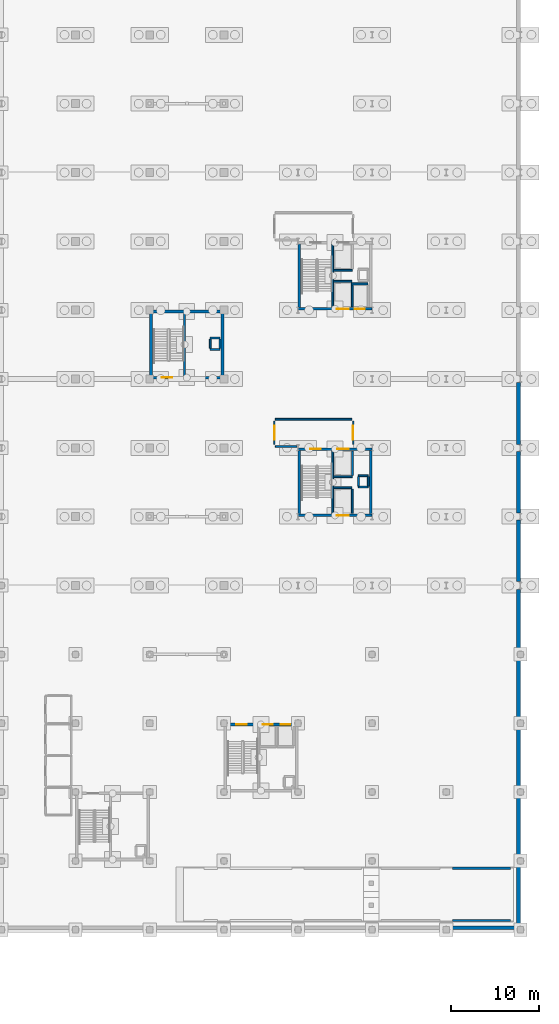
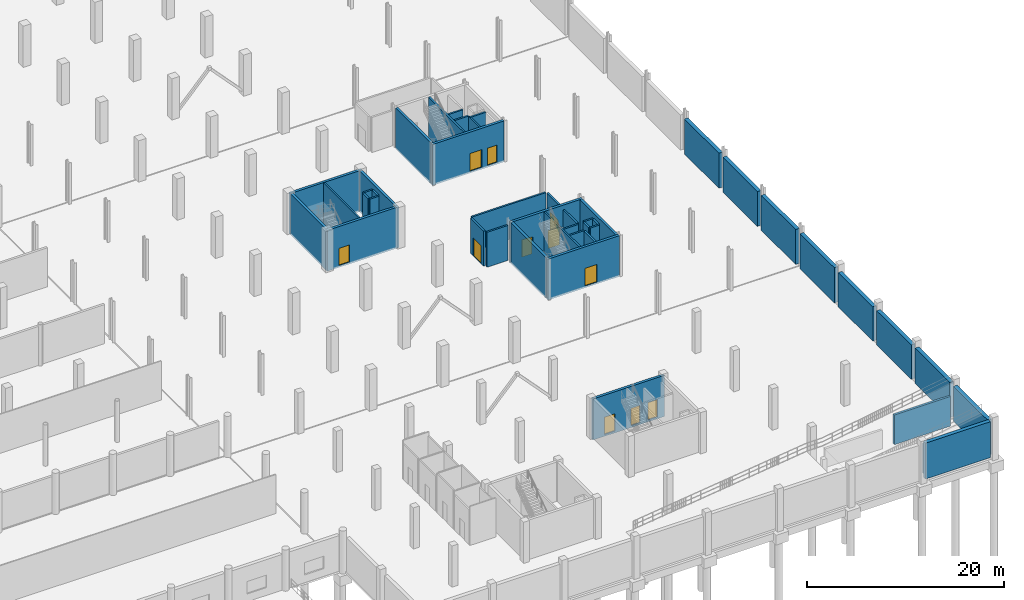
# One storey, part 33 of 48: 45 walls, 11 doors, 11 openings.
"""IFC4 building model written with IfcOpenShell, lengths in metres."""

from ifc_helpers import new_model, si_unit, direction, frame, frame_2d, origin, place, context, subcontext, project, spatial, rectangle, extrude, material, layer, layer_set, type_object, element, fill, save


model = new_model("IFC4")

# Units and contexts
model_context = context("Model", 3, precision=1e-05, world=origin(), true_north=direction((0.0, 1.0)))
body_context = subcontext(model_context, "Body", "Model", "MODEL_VIEW")
ifc_project = project(units=[si_unit("LENGTHUNIT", "METRE"), si_unit("AREAUNIT", "SQUARE_METRE"), si_unit("VOLUMEUNIT", "CUBIC_METRE"), si_unit("PLANEANGLEUNIT", "RADIAN"), si_unit("MASSUNIT", "GRAM", prefix="KILO")], contexts=[model_context])

# Site, building, storey
site_placement = place(None, origin())
site = spatial("IfcSite", under=ifc_project, at=site_placement, CompositionType="ELEMENT")
building_placement = place(site_placement, origin())
building = spatial("IfcBuilding", under=site, at=building_placement, Name="Nabrawat Pavilion Hospital", CompositionType="ELEMENT")
storey_placement = place(building_placement, frame((0.0, 0.0, -5.10009765625)))
storey = spatial("IfcBuildingStorey", under=building, at=storey_placement, Name="B1", CompositionType="ELEMENT", Elevation=-5.10009765625)

# Walls
ifc_material_1 = material(Name="Concrete C35/45", Category="concrete")
ifc_layer_1 = layer(ifc_material_1, 0.43994140625, Name="Concrete C35/45")
ifc_layer_set_1 = layer_set([ifc_layer_1], Name="Concrete C35/45")
wall_type_1 = type_object("IfcWallType", Name="Basement Deep RC Retaining Wall 440", PredefinedType="USERDEFINED", material=ifc_layer_set_1)
wall_1_placement = place(storey_placement, frame((185.18994140625, 0.219970703125, 0.0), z_axis=(0.0, 0.0, 1.0), x_axis=(1.0, 0.0, 0.0)))
element("IfcWall", 1, at=wall_1_placement, inside=storey, type_object=wall_type_1, Name="B1 Perimeter Retaining Wall 059", ObjectType="RETAININGWALL", PredefinedType="USERDEFINED", context=body_context, shape_type="SweptSolid", body=[
    extrude(rectangle(XDim=7.6201171875, YDim=0.43994140625, at=frame_2d((3.81005859375, 0.0))), origin(), (0.0, 0.0, 1.0), 4.4501953125),
])
wall_2_placement = place(storey_placement, frame((192.97998046875, 0.43994140625, 0.0), z_axis=(0.0, 0.0, 1.0), x_axis=(0.0, 1.0, 0.0)))
element("IfcWall", 2, at=wall_2_placement, inside=storey, type_object=wall_type_1, Name="B1 Perimeter Retaining Wall 069", ObjectType="RETAININGWALL", PredefinedType="USERDEFINED", context=body_context, shape_type="SweptSolid", body=[
    extrude(rectangle(XDim=6.969970703125, YDim=0.43994140625, at=frame_2d((3.48486328125, 0.0))), origin(), (0.0, 0.0, 1.0), 4.35009765625),
])
wall_3_placement = place(storey_placement, frame((192.97998046875, 8.18994140625, 0.0), z_axis=(0.0, 0.0, 1.0), x_axis=(0.0, 1.0, 0.0)))
element("IfcWall", 3, at=wall_3_placement, inside=storey, type_object=wall_type_1, Name="B1 Perimeter Retaining Wall 070", ObjectType="RETAININGWALL", PredefinedType="USERDEFINED", context=body_context, shape_type="SweptSolid", body=[
    extrude(rectangle(XDim=7.02001953125, YDim=0.43994140625, at=frame_2d((3.510009765625, 0.0))), origin(), (0.0, 0.0, 1.0), 4.35009765625),
])
for number, where, z_axis, x_axis, name in (
    (4, (192.97998046875, 15.989990234375, 0.0), (0.0, 0.0, 1.0), (0.0, 1.0, 0.0), "B1 Perimeter Retaining Wall 071"),
    (5, (192.97998046875, 23.7900390625, 0.0), (0.0, 0.0, 1.0), (0.0, 1.0, 0.0), "B1 Perimeter Retaining Wall 072"),
):
    element("IfcWall", number, at=place(storey_placement, frame(where, z_axis=z_axis, x_axis=x_axis)), inside=storey, type_object=wall_type_1, Name=name, ObjectType="RETAININGWALL", PredefinedType="USERDEFINED", context=body_context, shape_type="SweptSolid", body=[
        extrude(rectangle(XDim=7.02001953125, YDim=0.43994140625, at=frame_2d((3.510009765625, 0.0))), origin(), (0.0, 0.0, 1.0), 4.25),
    ])
wall_4_placement = place(storey_placement, frame((192.97998046875, 31.590087890625, 0.0), z_axis=(0.0, 0.0, 1.0), x_axis=(0.0, 1.0, 0.0)))
element("IfcWall", 6, at=wall_4_placement, inside=storey, type_object=wall_type_1, Name="B1 Perimeter Retaining Wall 073", ObjectType="RETAININGWALL", PredefinedType="USERDEFINED", context=body_context, shape_type="SweptSolid", body=[
    extrude(rectangle(XDim=6.969970703125, YDim=0.43994140625, at=frame_2d((3.48486328125, 0.0))), origin(), (0.0, 0.0, 1.0), 4.35009765625),
])
wall_5_placement = place(storey_placement, frame((192.97998046875, 39.43994140625, 0.0), z_axis=(0.0, 0.0, 1.0), x_axis=(0.0, 1.0, 0.0)))
element("IfcWall", 7, at=wall_5_placement, inside=storey, type_object=wall_type_1, Name="B1 Perimeter Retaining Wall 074", ObjectType="RETAININGWALL", PredefinedType="USERDEFINED", context=body_context, shape_type="SweptSolid", body=[
    extrude(rectangle(XDim=6.969970703125, YDim=0.43994140625, at=frame_2d((3.48486328125, 0.0))), origin(), (0.0, 0.0, 1.0), 4.330078125),
])
for number, where, z_axis, x_axis, name in (
    (8, (192.97998046875, 47.18994140625, 0.0), (0.0, 0.0, 1.0), (0.0, 1.0, 0.0), "B1 Perimeter Retaining Wall 075"),
    (9, (192.97998046875, 54.989990234375, 0.0), (0.0, 0.0, 1.0), (0.0, 1.0, 0.0), "B1 Perimeter Retaining Wall 076"),
):
    element("IfcWall", number, at=place(storey_placement, frame(where, z_axis=z_axis, x_axis=x_axis)), inside=storey, type_object=wall_type_1, Name=name, ObjectType="RETAININGWALL", PredefinedType="USERDEFINED", context=body_context, shape_type="SweptSolid", body=[
        extrude(rectangle(XDim=7.02001953125, YDim=0.43994140625, at=frame_2d((3.510009765625, 0.0))), origin(), (0.0, 0.0, 1.0), 4.330078125),
    ])
ifc_layer_2 = layer(ifc_material_1, 0.199951171875, Name="Concrete C35/45")
ifc_layer_set_2 = layer_set([ifc_layer_2], Name="Concrete C35/45")
wall_type_2 = type_object("IfcWallType", Name="Firefighting Lobby Compartment Wall 200", PredefinedType="PARTITIONING", material=ifc_layer_set_2)
wall_6_placement = place(storey_placement, frame((165.43994140625, 54.75, 0.0), z_axis=(0.0, 0.0, 1.0), x_axis=(1.0, 0.0, 0.0)))
element("IfcWall", 10, at=wall_6_placement, inside=storey, type_object=wall_type_2, Name="B1 CORE-5 Firefighting Lobby South Return Wall", PredefinedType="PARTITIONING", context=body_context, shape_type="SweptSolid", body=[
    extrude(rectangle(XDim=2.43994140625, YDim=0.199951171875, at=frame_2d((1.219970703125, 0.0))), origin(), (0.0, 0.0, 1.0), 4.330078125),
])
wall_7_placement = place(storey_placement, frame((165.43994140625, 57.85009765625, 0.0), z_axis=(0.0, 0.0, 1.0), x_axis=(1.0, 0.0, 0.0)))
element("IfcWall", 11, at=wall_7_placement, inside=storey, type_object=wall_type_2, Name="B1 CORE-5 Firefighting Lobby North Compartment Wall", PredefinedType="PARTITIONING", context=body_context, shape_type="SweptSolid", body=[
    extrude(rectangle(XDim=8.66015625, YDim=0.199951171875, at=frame_2d((4.330078125, 0.0))), origin(), (0.0, 0.0, 1.0), 4.330078125),
])

# Wall, opening, door
wall_8_placement = place(storey_placement, frame((165.320068359375, 55.0, 0.0), z_axis=(0.0, 0.0, 1.0), x_axis=(0.0, 1.0, 0.0)))
wall_8 = element("IfcWall", 12, at=wall_8_placement, inside=storey, type_object=wall_type_2, Name="B1 CORE-5 Firefighting Lobby West Compartment Wall", PredefinedType="PARTITIONING", context=body_context, shape_type="SweptSolid", body=[
    extrude(rectangle(XDim=2.64990234375, YDim=0.199951171875, at=frame_2d((1.324951171875, 0.0))), origin(), (0.0, 0.0, 1.0), 4.330078125),
])
opening_1_placement = place(wall_8_placement, frame((0.52490234375, 0.0, 0.0)))
opening_1 = element("IfcOpeningElement", 13, at=opening_1_placement, cuts=wall_8, Name="Opening D-FFL", PredefinedType="OPENING", context=body_context, shape_type="SweptSolid", body=[
    extrude(rectangle(XDim=1.60009765625, YDim=2.199951171875, at=frame_2d((0.800048828125, 1.10009765625))), frame((0.0, 0.10986328125, 0.0), z_axis=(0.0, -1.0, 0.0), x_axis=(1.0, 0.0, 0.0)), (0.0, 0.0, 1.0), 0.219970703125),
])
ifc_material_2 = material(Name="Stainless-Clad Acoustic Timber and Vision Glass", Category="wood")
door_type_1 = type_object("IfcDoorType", Name="D-FFL Firefighting Lobby Double Smoke Door 1600x2200", OperationType="NOTDEFINED", PredefinedType="DOOR", material=ifc_material_2)
door_1_placement = place(opening_1_placement, origin())
door_1 = element("IfcDoor", 14, at=door_1_placement, inside=storey, type_object=door_type_1, Name="B1 CORE-5 Firefighting Lobby West Smoke Door", OperationType="DOUBLE_DOOR_SINGLE_SWING", OverallHeight=2.199951171875, OverallWidth=1.60009765625, PredefinedType="DOOR", context=body_context, shape_type="SweptSolid", body=[
    extrude(rectangle(XDim=1.60009765625, YDim=2.199951171875, at=frame_2d((0.800048828125, 1.10009765625))), frame((0.0, 0.02490234375, 0.0), z_axis=(0.0, -1.0, 0.0), x_axis=(1.0, 0.0, 0.0)), (0.0, 0.0, 1.0), 0.050048828125),
])
fill(opening_1, door_1)

wall_9_placement = place(storey_placement, frame((174.25, 55.0, 0.0), z_axis=(0.0, 0.0, 1.0), x_axis=(0.0, 1.0, 0.0)))
wall_9 = element("IfcWall", 15, at=wall_9_placement, inside=storey, type_object=wall_type_2, Name="B1 CORE-5 Firefighting Lobby East Compartment Wall", PredefinedType="PARTITIONING", context=body_context, shape_type="SweptSolid", body=[
    extrude(rectangle(XDim=2.64990234375, YDim=0.199951171875, at=frame_2d((1.324951171875, 0.0))), origin(), (0.0, 0.0, 1.0), 4.330078125),
])
opening_2_placement = place(wall_9_placement, frame((0.52490234375, 0.0, 0.0)))
opening_2 = element("IfcOpeningElement", 16, at=opening_2_placement, cuts=wall_9, Name="Opening D-FFL", PredefinedType="OPENING", context=body_context, shape_type="SweptSolid", body=[
    extrude(rectangle(XDim=1.60009765625, YDim=2.199951171875, at=frame_2d((0.800048828125, 1.10009765625))), frame((0.0, 0.10986328125, 0.0), z_axis=(0.0, -1.0, 0.0), x_axis=(1.0, 0.0, 0.0)), (0.0, 0.0, 1.0), 0.219970703125),
])
door_2_placement = place(opening_2_placement, origin())
door_2 = element("IfcDoor", 17, at=door_2_placement, inside=storey, type_object=door_type_1, Name="B1 CORE-5 Firefighting Lobby East Smoke Door", OperationType="DOUBLE_DOOR_SINGLE_SWING", OverallHeight=2.199951171875, OverallWidth=1.60009765625, PredefinedType="DOOR", context=body_context, shape_type="SweptSolid", body=[
    extrude(rectangle(XDim=1.60009765625, YDim=2.199951171875, at=frame_2d((0.800048828125, 1.10009765625))), frame((0.0, 0.02490234375, 0.0), z_axis=(0.0, -1.0, 0.0), x_axis=(1.0, 0.0, 0.0)), (0.0, 0.0, 1.0), 0.050048828125),
])
fill(opening_2, door_2)

# Walls
ifc_layer_3 = layer(ifc_material_1, 0.199951171875, Name="Concrete C35/45")
ifc_layer_set_3 = layer_set([ifc_layer_3], Name="Concrete C35/45")
wall_type_3 = type_object("IfcWallType", Name="Lift and Riser Fire Shaft Wall 200", PredefinedType="PARTITIONING", material=ifc_layer_set_3)
wall_10_placement = place(storey_placement, frame((171.949951171875, 47.1201171875, -0.219970703125), z_axis=(0.0, 0.0, 1.0), x_axis=(0.0, 1.0, 0.0)))
element("IfcWall", 18, at=wall_10_placement, inside=storey, type_object=wall_type_3, Name="B1 CORE-5 Stair-Lift Dividing Shear Wall", PredefinedType="SHEAR", context=body_context, shape_type="SweptSolid", body=[
    extrude(rectangle(XDim=7.159912109375, YDim=0.199951171875, at=frame_2d((3.580078125, 0.0))), origin(), (0.0, 0.0, 1.0), 5.070068359375),
])
for number, where, z_axis, x_axis, name in (
    (19, (174.85009765625, 50.14990234375, 0.0), (0.0, 0.0, 1.0), (1.0, 0.0, 0.0), "B1 CORE-5 MEP Riser Shaft Wall S"),
    (20, (174.85009765625, 51.449951171875, 0.0), (0.0, 0.0, 1.0), (1.0, 0.0, 0.0), "B1 CORE-5 MEP Riser Shaft Wall N"),
):
    element("IfcWall", number, at=place(storey_placement, frame(where, z_axis=z_axis, x_axis=x_axis)), inside=storey, type_object=wall_type_3, Name=name, PredefinedType="PARTITIONING", context=body_context, shape_type="SweptSolid", body=[
        extrude(rectangle(XDim=1.099853515625, YDim=0.199951171875, at=frame_2d((0.5498046875, 0.0))), origin(), (0.0, 0.0, 1.0), 4.330078125),
    ])
for number, where, z_axis, x_axis, name in (
    (21, (174.85009765625, 50.27001953125, 0.0), (0.0, 0.0, 1.0), (0.0, 1.0, 0.0), "B1 CORE-5 MEP Riser Shaft Wall W"),
    (22, (175.949951171875, 50.27001953125, 0.0), (0.0, 0.0, 1.0), (0.0, 1.0, 0.0), "B1 CORE-5 MEP Riser Shaft Wall E"),
):
    element("IfcWall", number, at=place(storey_placement, frame(where, z_axis=z_axis, x_axis=x_axis)), inside=storey, type_object=wall_type_3, Name=name, PredefinedType="PARTITIONING", context=body_context, shape_type="SweptSolid", body=[
        extrude(rectangle(XDim=1.06005859375, YDim=0.199951171875, at=frame_2d((0.530029296875, 0.0))), origin(), (0.0, 0.0, 1.0), 4.330078125),
    ])
wall_11_placement = place(storey_placement, frame((174.179931640625, 51.47998046875, 0.0), z_axis=(0.0, 0.0, 1.0), x_axis=(0.0, 1.0, 0.0)))
element("IfcWall", 23, at=wall_11_placement, inside=storey, type_object=wall_type_3, Name="B1 Lift LF-01 Shaft East Wall", PredefinedType="PARTITIONING", context=body_context, shape_type="SweptSolid", body=[
    extrude(rectangle(XDim=2.739990234375, YDim=0.199951171875, at=frame_2d((1.3701171875, 0.0))), origin(), (0.0, 0.0, 1.0), 4.330078125),
])
wall_12_placement = place(storey_placement, frame((172.050048828125, 51.320068359375, 0.0), z_axis=(0.0, 0.0, 1.0), x_axis=(1.0, 0.0, 0.0)))
element("IfcWall", 24, at=wall_12_placement, inside=storey, type_object=wall_type_3, Name="B1 Lift LF-01 Shaft Back Wall", PredefinedType="PARTITIONING", context=body_context, shape_type="SweptSolid", body=[
    extrude(rectangle(XDim=2.099853515625, YDim=0.199951171875, at=frame_2d((1.0498046875, 0.0))), origin(), (0.0, 0.0, 1.0), 4.330078125),
])
wall_13_placement = place(storey_placement, frame((174.139892578125, 47.179931640625, 0.0), z_axis=(0.0, 0.0, 1.0), x_axis=(0.0, 1.0, 0.0)))
element("IfcWall", 25, at=wall_13_placement, inside=storey, type_object=wall_type_3, Name="B1 Lift LB-03 Shaft East Wall", PredefinedType="PARTITIONING", context=body_context, shape_type="SweptSolid", body=[
    extrude(rectangle(XDim=2.739990234375, YDim=0.199951171875, at=frame_2d((1.3701171875, 0.0))), origin(), (0.0, 0.0, 1.0), 4.330078125),
])
wall_14_placement = place(storey_placement, frame((172.050048828125, 50.080078125, 0.0), z_axis=(0.0, 0.0, 1.0), x_axis=(1.0, 0.0, 0.0)))
element("IfcWall", 26, at=wall_14_placement, inside=storey, type_object=wall_type_3, Name="B1 Lift LB-03 Shaft Back Wall", PredefinedType="PARTITIONING", context=body_context, shape_type="SweptSolid", body=[
    extrude(rectangle(XDim=2.06005859375, YDim=0.199951171875, at=frame_2d((1.030029296875, 0.0))), origin(), (0.0, 0.0, 1.0), 4.330078125),
])
wall_15_placement = place(storey_placement, frame((171.949951171875, 70.52001953125, -0.219970703125), z_axis=(0.0, 0.0, 1.0), x_axis=(0.0, 1.0, 0.0)))
element("IfcWall", 27, at=wall_15_placement, inside=storey, type_object=wall_type_3, Name="B1 CORE-6 Stair-Lift Dividing Shear Wall", PredefinedType="SHEAR", context=body_context, shape_type="SweptSolid", body=[
    extrude(rectangle(XDim=7.159912109375, YDim=0.199951171875, at=frame_2d((3.580078125, 0.0))), origin(), (0.0, 0.0, 1.0), 5.070068359375),
])
wall_16_placement = place(storey_placement, frame((172.050048828125, 74.719970703125, 0.0), z_axis=(0.0, 0.0, 1.0), x_axis=(1.0, 0.0, 0.0)))
element("IfcWall", 28, at=wall_16_placement, inside=storey, type_object=wall_type_3, Name="B1 Lift LF-02 Shaft Back Wall", PredefinedType="PARTITIONING", context=body_context, shape_type="SweptSolid", body=[
    extrude(rectangle(XDim=2.099853515625, YDim=0.199951171875, at=frame_2d((1.0498046875, 0.0))), origin(), (0.0, 0.0, 1.0), 4.330078125),
])
wall_17_placement = place(storey_placement, frame((174.139892578125, 70.580078125, 0.0), z_axis=(0.0, 0.0, 1.0), x_axis=(0.0, 1.0, 0.0)))
element("IfcWall", 29, at=wall_17_placement, inside=storey, type_object=wall_type_3, Name="B1 Lift LB-04 Shaft East Wall", PredefinedType="PARTITIONING", context=body_context, shape_type="SweptSolid", body=[
    extrude(rectangle(XDim=2.739990234375, YDim=0.199951171875, at=frame_2d((1.3701171875, 0.0))), origin(), (0.0, 0.0, 1.0), 4.330078125),
])
wall_18_placement = place(storey_placement, frame((172.050048828125, 73.47998046875, 0.0), z_axis=(0.0, 0.0, 1.0), x_axis=(1.0, 0.0, 0.0)))
element("IfcWall", 30, at=wall_18_placement, inside=storey, type_object=wall_type_3, Name="B1 Lift LB-04 Shaft Back Wall", PredefinedType="PARTITIONING", context=body_context, shape_type="SweptSolid", body=[
    extrude(rectangle(XDim=2.06005859375, YDim=0.199951171875, at=frame_2d((1.030029296875, 0.0))), origin(), (0.0, 0.0, 1.0), 4.330078125),
])
wall_19_placement = place(storey_placement, frame((174.070068359375, 73.179931640625, 0.0), z_axis=(0.0, 0.0, 1.0), x_axis=(1.0, 0.0, 0.0)))
element("IfcWall", 31, at=wall_19_placement, inside=storey, type_object=wall_type_3, Name="B1 Lift LS-02 Shaft Back Wall", PredefinedType="PARTITIONING", context=body_context, shape_type="SweptSolid", body=[
    extrude(rectangle(XDim=1.85986328125, YDim=0.199951171875, at=frame_2d((0.929931640625, 0.0))), origin(), (0.0, 0.0, 1.0), 4.330078125),
])
wall_20_placement = place(storey_placement, frame((155.14990234375, 62.719970703125, -0.219970703125), z_axis=(0.0, 0.0, 1.0), x_axis=(0.0, 1.0, 0.0)))
element("IfcWall", 32, at=wall_20_placement, inside=storey, type_object=wall_type_3, Name="B1 CORE-9 Stair-Lift Dividing Shear Wall", PredefinedType="SHEAR", context=body_context, shape_type="SweptSolid", body=[
    extrude(rectangle(XDim=7.159912109375, YDim=0.199951171875, at=frame_2d((3.580078125, 0.0))), origin(), (0.0, 0.0, 1.0), 5.070068359375),
])
for number, where, z_axis, x_axis, name in (
    (33, (158.050048828125, 65.75, 0.0), (0.0, 0.0, 1.0), (1.0, 0.0, 0.0), "B1 CORE-9 MEP Riser Shaft Wall S"),
    (34, (158.050048828125, 67.050048828125, 0.0), (0.0, 0.0, 1.0), (1.0, 0.0, 0.0), "B1 CORE-9 MEP Riser Shaft Wall N"),
):
    element("IfcWall", number, at=place(storey_placement, frame(where, z_axis=z_axis, x_axis=x_axis)), inside=storey, type_object=wall_type_3, Name=name, PredefinedType="PARTITIONING", context=body_context, shape_type="SweptSolid", body=[
        extrude(rectangle(XDim=1.099853515625, YDim=0.199951171875, at=frame_2d((0.5498046875, 0.0))), origin(), (0.0, 0.0, 1.0), 4.330078125),
    ])
for number, where, z_axis, x_axis, name in (
    (35, (158.050048828125, 65.8701171875, 0.0), (0.0, 0.0, 1.0), (0.0, 1.0, 0.0), "B1 CORE-9 MEP Riser Shaft Wall W"),
    (36, (159.14990234375, 65.8701171875, 0.0), (0.0, 0.0, 1.0), (0.0, 1.0, 0.0), "B1 CORE-9 MEP Riser Shaft Wall E"),
):
    element("IfcWall", number, at=place(storey_placement, frame(where, z_axis=z_axis, x_axis=x_axis)), inside=storey, type_object=wall_type_3, Name=name, PredefinedType="PARTITIONING", context=body_context, shape_type="SweptSolid", body=[
        extrude(rectangle(XDim=1.059814453125, YDim=0.199951171875, at=frame_2d((0.52978515625, 0.0))), origin(), (0.0, 0.0, 1.0), 4.330078125),
    ])
ifc_layer_4 = layer(ifc_material_1, 0.25, Name="Concrete C35/45")
ifc_layer_set_4 = layer_set([ifc_layer_4], Name="Concrete C35/45")
wall_type_4 = type_object("IfcWallType", Name="RC Vehicle Ramp Shear Support Wall 250", PredefinedType="SHEAR", material=ifc_layer_set_4)
for number, where, z_axis, x_axis, name in (
    (37, (185.5, 1.030029296875, 0.0), (0.0, 0.0, 1.0), (1.0, 0.0, 0.0), "B1 Vehicle Ramp S Structural Support Wall F2B"),
    (38, (185.5, 6.969970703125, 0.0), (0.0, 0.0, 1.0), (1.0, 0.0, 0.0), "B1 Vehicle Ramp N Structural Support Wall F2B"),
):
    element("IfcWall", number, at=place(storey_placement, frame(where, z_axis=z_axis, x_axis=x_axis)), inside=storey, type_object=wall_type_4, Name=name, PredefinedType="SHEAR", context=body_context, shape_type="SweptSolid", body=[
        extrude(rectangle(XDim=6.60009765625, YDim=0.25, at=frame_2d((3.300048828125, 0.0))), origin(), (0.0, 0.0, 1.0), 3.672607421875),
    ])

# Wall, openings, doors
ifc_material_3 = material(Name="Concrete C40/50", Category="concrete")
ifc_layer_5 = layer(ifc_material_3, 0.300048828125, Name="Concrete C40/50")
ifc_layer_set_5 = layer_set([ifc_layer_5], Name="Concrete C40/50")
wall_type_5 = type_object("IfcWallType", Name="Reinforced Concrete Core Shear Wall 300", PredefinedType="SHEAR", material=ifc_layer_set_5)
wall_21_placement = place(storey_placement, frame((159.60009765625, 23.25, -0.219970703125), z_axis=(0.0, 0.0, 1.0), x_axis=(1.0, 0.0, 0.0)))
wall_21 = element("IfcWall", 39, at=wall_21_placement, inside=storey, type_object=wall_type_5, Name="B1 CORE-4 North Core Shear Wall", PredefinedType="SHEAR", context=body_context, shape_type="SweptSolid", body=[
    extrude(rectangle(XDim=8.39990234375, YDim=0.300048828125, at=frame_2d((4.199951171875, 0.0))), origin(), (0.0, 0.0, 1.0), 5.090087890625),
])
opening_3_placement = place(wall_21_placement, frame((1.3798828125, 0.0, 0.219970703125)))
opening_3 = element("IfcOpeningElement", 40, at=opening_3_placement, cuts=wall_21, Name="Opening D-STAIR", PredefinedType="OPENING", context=body_context, shape_type="SweptSolid", body=[
    extrude(rectangle(XDim=1.199951171875, YDim=2.14990234375, at=frame_2d((0.60009765625, 1.074951171875))), frame((0.0, 0.16015625, 0.0), z_axis=(0.0, -1.0, 0.0), x_axis=(1.0, 0.0, 0.0)), (0.0, 0.0, 1.0), 0.320068359375),
])
opening_4_placement = place(wall_21_placement, frame((4.429931640625, 0.0, 0.219970703125)))
opening_4 = element("IfcOpeningElement", 41, at=opening_4_placement, cuts=wall_21, Name="Opening LD-LP-03", PredefinedType="OPENING", context=body_context, shape_type="SweptSolid", body=[
    extrude(rectangle(XDim=1.10009765625, YDim=2.14990234375, at=frame_2d((0.550048828125, 1.074951171875))), frame((0.0, 0.16015625, 0.0), z_axis=(0.0, -1.0, 0.0), x_axis=(1.0, 0.0, 0.0)), (0.0, 0.0, 1.0), 0.320068359375),
])
opening_5_placement = place(wall_21_placement, frame((6.449951171875, 0.0, 0.219970703125)))
opening_5 = element("IfcOpeningElement", 42, at=opening_5_placement, cuts=wall_21, Name="Opening LD-LP-04", PredefinedType="OPENING", context=body_context, shape_type="SweptSolid", body=[
    extrude(rectangle(XDim=1.10009765625, YDim=2.14990234375, at=frame_2d((0.550048828125, 1.074951171875))), frame((0.0, 0.16015625, 0.0), z_axis=(0.0, -1.0, 0.0), x_axis=(1.0, 0.0, 0.0)), (0.0, 0.0, 1.0), 0.320068359375),
])
door_type_2 = type_object("IfcDoorType", Name="D-STAIR Exit Stair Fire Door 1200x2150", OperationType="NOTDEFINED", PredefinedType="DOOR", material=ifc_material_2)
door_3_placement = place(opening_3_placement, origin())
door_3 = element("IfcDoor", 43, at=door_3_placement, inside=storey, type_object=door_type_2, Name="B1 ST-04 Fire Exit Stair Door", OperationType="SINGLE_SWING_LEFT", OverallHeight=2.14990234375, OverallWidth=1.199951171875, PredefinedType="DOOR", context=body_context, shape_type="SweptSolid", body=[
    extrude(rectangle(XDim=1.199951171875, YDim=2.14990234375, at=frame_2d((0.60009765625, 1.074951171875))), frame((0.0, 0.02490234375, 0.0), z_axis=(0.0, -1.0, 0.0), x_axis=(1.0, 0.0, 0.0)), (0.0, 0.0, 1.0), 0.050048828125),
])
fill(opening_3, door_3)
door_type_3 = type_object("IfcDoorType", Name="Passenger Lift Sliding Landing Door 1100x2150", OperationType="DOUBLE_DOOR_SLIDING", PredefinedType="DOOR", material=ifc_material_2)
door_4_placement = place(opening_4_placement, origin())
door_4 = element("IfcDoor", 44, at=door_4_placement, inside=storey, type_object=door_type_3, Name="B1 Lift LP-03 Sliding Landing Door", OperationType="DOUBLE_DOOR_SLIDING", OverallHeight=2.14990234375, OverallWidth=1.10009765625, PredefinedType="DOOR", context=body_context, shape_type="SweptSolid", body=[
    extrude(rectangle(XDim=1.10009765625, YDim=2.14990234375, at=frame_2d((0.550048828125, 1.074951171875))), frame((0.0, 0.02490234375, 0.0), z_axis=(0.0, -1.0, 0.0), x_axis=(1.0, 0.0, 0.0)), (0.0, 0.0, 1.0), 0.050048828125),
])
fill(opening_4, door_4)
door_5_placement = place(opening_5_placement, origin())
door_5 = element("IfcDoor", 45, at=door_5_placement, inside=storey, type_object=door_type_3, Name="B1 Lift LP-04 Sliding Landing Door", OperationType="DOUBLE_DOOR_SLIDING", OverallHeight=2.14990234375, OverallWidth=1.10009765625, PredefinedType="DOOR", context=body_context, shape_type="SweptSolid", body=[
    extrude(rectangle(XDim=1.10009765625, YDim=2.14990234375, at=frame_2d((0.550048828125, 1.074951171875))), frame((0.0, 0.02490234375, 0.0), z_axis=(0.0, -1.0, 0.0), x_axis=(1.0, 0.0, 0.0)), (0.0, 0.0, 1.0), 0.050048828125),
])
fill(opening_5, door_5)

# Wall, opening, door
wall_22_placement = place(storey_placement, frame((168.0, 46.949951171875, -0.219970703125), z_axis=(0.0, 0.0, 1.0), x_axis=(1.0, 0.0, 0.0)))
wall_22 = element("IfcWall", 46, at=wall_22_placement, inside=storey, type_object=wall_type_5, Name="B1 CORE-5 South Core Shear Wall", PredefinedType="SHEAR", context=body_context, shape_type="SweptSolid", body=[
    extrude(rectangle(XDim=8.39990234375, YDim=0.300048828125, at=frame_2d((4.199951171875, 0.0))), origin(), (0.0, 0.0, 1.0), 5.070068359375),
])
opening_6_placement = place(wall_22_placement, frame((4.3798828125, 0.0, 0.219970703125)))
opening_6 = element("IfcOpeningElement", 47, at=opening_6_placement, cuts=wall_22, Name="Opening LD-LB-03", PredefinedType="OPENING", context=body_context, shape_type="SweptSolid", body=[
    extrude(rectangle(XDim=1.39990234375, YDim=2.199951171875, at=frame_2d((0.699951171875, 1.10009765625))), frame((0.0, 0.16015625, 0.0), z_axis=(0.0, -1.0, 0.0), x_axis=(1.0, 0.0, 0.0)), (0.0, 0.0, 1.0), 0.320068359375),
])
door_type_4 = type_object("IfcDoorType", Name="Hospital Bed Lift Sliding Landing Door 1400x2200", OperationType="DOUBLE_DOOR_SLIDING", PredefinedType="DOOR", material=ifc_material_2)
door_6_placement = place(opening_6_placement, origin())
door_6 = element("IfcDoor", 48, at=door_6_placement, inside=storey, type_object=door_type_4, Name="B1 Lift LB-03 Sliding Landing Door", OperationType="DOUBLE_DOOR_SLIDING", OverallHeight=2.199951171875, OverallWidth=1.39990234375, PredefinedType="DOOR", context=body_context, shape_type="SweptSolid", body=[
    extrude(rectangle(XDim=1.39990234375, YDim=2.199951171875, at=frame_2d((0.699951171875, 1.10009765625))), frame((0.0, 0.02490234375, 0.0), z_axis=(0.0, -1.0, 0.0), x_axis=(1.0, 0.0, 0.0)), (0.0, 0.0, 1.0), 0.050048828125),
])
fill(opening_6, door_6)

# Wall, openings, doors
wall_23_placement = place(storey_placement, frame((168.0, 54.449951171875, -0.219970703125), z_axis=(0.0, 0.0, 1.0), x_axis=(1.0, 0.0, 0.0)))
wall_23 = element("IfcWall", 49, at=wall_23_placement, inside=storey, type_object=wall_type_5, Name="B1 CORE-5 North Core Shear Wall", PredefinedType="SHEAR", context=body_context, shape_type="SweptSolid", body=[
    extrude(rectangle(XDim=8.39990234375, YDim=0.300048828125, at=frame_2d((4.199951171875, 0.0))), origin(), (0.0, 0.0, 1.0), 5.070068359375),
])
opening_7_placement = place(wall_23_placement, frame((1.3798828125, 0.0, 0.219970703125)))
opening_7 = element("IfcOpeningElement", 50, at=opening_7_placement, cuts=wall_23, Name="Opening D-STAIR", PredefinedType="OPENING", context=body_context, shape_type="SweptSolid", body=[
    extrude(rectangle(XDim=1.199951171875, YDim=2.14990234375, at=frame_2d((0.60009765625, 1.074951171875))), frame((0.0, 0.16015625, 0.0), z_axis=(0.0, -1.0, 0.0), x_axis=(1.0, 0.0, 0.0)), (0.0, 0.0, 1.0), 0.320068359375),
])
opening_8_placement = place(wall_23_placement, frame((4.449951171875, 0.0, 0.219970703125)))
opening_8 = element("IfcOpeningElement", 51, at=opening_8_placement, cuts=wall_23, Name="Opening LD-LF-01", PredefinedType="OPENING", context=body_context, shape_type="SweptSolid", body=[
    extrude(rectangle(XDim=1.300048828125, YDim=2.199951171875, at=frame_2d((0.64990234375, 1.10009765625))), frame((0.0, 0.16015625, 0.0), z_axis=(0.0, -1.0, 0.0), x_axis=(1.0, 0.0, 0.0)), (0.0, 0.0, 1.0), 0.320068359375),
])
door_7_placement = place(opening_7_placement, origin())
door_7 = element("IfcDoor", 52, at=door_7_placement, inside=storey, type_object=door_type_2, Name="B1 ST-05 Fire Exit Stair Door", OperationType="SINGLE_SWING_LEFT", OverallHeight=2.14990234375, OverallWidth=1.199951171875, PredefinedType="DOOR", context=body_context, shape_type="SweptSolid", body=[
    extrude(rectangle(XDim=1.199951171875, YDim=2.14990234375, at=frame_2d((0.60009765625, 1.074951171875))), frame((0.0, 0.02490234375, 0.0), z_axis=(0.0, -1.0, 0.0), x_axis=(1.0, 0.0, 0.0)), (0.0, 0.0, 1.0), 0.050048828125),
])
fill(opening_7, door_7)
door_type_5 = type_object("IfcDoorType", Name="Firefighting Lift Sliding Landing Door 1300x2200", OperationType="DOUBLE_DOOR_SLIDING", PredefinedType="DOOR", material=ifc_material_2)
door_8_placement = place(opening_8_placement, origin())
door_8 = element("IfcDoor", 53, at=door_8_placement, inside=storey, type_object=door_type_5, Name="B1 Lift LF-01 Sliding Landing Door", OperationType="DOUBLE_DOOR_SLIDING", OverallHeight=2.199951171875, OverallWidth=1.300048828125, PredefinedType="DOOR", context=body_context, shape_type="SweptSolid", body=[
    extrude(rectangle(XDim=1.300048828125, YDim=2.199951171875, at=frame_2d((0.64990234375, 1.10009765625))), frame((0.0, 0.02490234375, 0.0), z_axis=(0.0, -1.0, 0.0), x_axis=(1.0, 0.0, 0.0)), (0.0, 0.0, 1.0), 0.050048828125),
])
fill(opening_8, door_8)

# Walls
for number, where, z_axis, x_axis, name in (
    (54, (168.14990234375, 47.10009765625, -0.219970703125), (0.0, 0.0, 1.0), (0.0, 1.0, 0.0), "B1 CORE-5 West Core Shear Wall"),
    (55, (176.25, 47.10009765625, -0.219970703125), (0.0, 0.0, 1.0), (0.0, 1.0, 0.0), "B1 CORE-5 East Core Shear Wall"),
):
    element("IfcWall", number, at=place(storey_placement, frame(where, z_axis=z_axis, x_axis=x_axis)), inside=storey, type_object=wall_type_5, Name=name, PredefinedType="SHEAR", context=body_context, shape_type="SweptSolid", body=[
        extrude(rectangle(XDim=7.199951171875, YDim=0.300048828125, at=frame_2d((3.60009765625, 0.0))), origin(), (0.0, 0.0, 1.0), 5.070068359375),
    ])

# Wall, openings, doors
wall_24_placement = place(storey_placement, frame((168.0, 70.35009765625, -0.219970703125), z_axis=(0.0, 0.0, 1.0), x_axis=(1.0, 0.0, 0.0)))
wall_24 = element("IfcWall", 56, at=wall_24_placement, inside=storey, type_object=wall_type_5, Name="B1 CORE-6 South Core Shear Wall", PredefinedType="SHEAR", context=body_context, shape_type="SweptSolid", body=[
    extrude(rectangle(XDim=8.39990234375, YDim=0.300048828125, at=frame_2d((4.199951171875, 0.0))), origin(), (0.0, 0.0, 1.0), 5.070068359375),
])
opening_9_placement = place(wall_24_placement, frame((4.3798828125, 0.0, 0.219970703125)))
opening_9 = element("IfcOpeningElement", 57, at=opening_9_placement, cuts=wall_24, Name="Opening LD-LB-04", PredefinedType="OPENING", context=body_context, shape_type="SweptSolid", body=[
    extrude(rectangle(XDim=1.39990234375, YDim=2.199951171875, at=frame_2d((0.699951171875, 1.10009765625))), frame((0.0, 0.16015625, 0.0), z_axis=(0.0, -1.0, 0.0), x_axis=(1.0, 0.0, 0.0)), (0.0, 0.0, 1.0), 0.320068359375),
])
opening_10_placement = place(wall_24_placement, frame((6.449951171875, 0.0, 0.219970703125)))
opening_10 = element("IfcOpeningElement", 58, at=opening_10_placement, cuts=wall_24, Name="Opening LD-LS-02", PredefinedType="OPENING", context=body_context, shape_type="SweptSolid", body=[
    extrude(rectangle(XDim=1.10009765625, YDim=2.14990234375, at=frame_2d((0.550048828125, 1.074951171875))), frame((0.0, 0.16015625, 0.0), z_axis=(0.0, -1.0, 0.0), x_axis=(1.0, 0.0, 0.0)), (0.0, 0.0, 1.0), 0.320068359375),
])
door_9_placement = place(opening_9_placement, origin())
door_9 = element("IfcDoor", 59, at=door_9_placement, inside=storey, type_object=door_type_4, Name="B1 Lift LB-04 Sliding Landing Door", OperationType="DOUBLE_DOOR_SLIDING", OverallHeight=2.199951171875, OverallWidth=1.39990234375, PredefinedType="DOOR", context=body_context, shape_type="SweptSolid", body=[
    extrude(rectangle(XDim=1.39990234375, YDim=2.199951171875, at=frame_2d((0.699951171875, 1.10009765625))), frame((0.0, 0.02490234375, 0.0), z_axis=(0.0, -1.0, 0.0), x_axis=(1.0, 0.0, 0.0)), (0.0, 0.0, 1.0), 0.050048828125),
])
fill(opening_9, door_9)
door_10_placement = place(opening_10_placement, origin())
door_10 = element("IfcDoor", 60, at=door_10_placement, inside=storey, type_object=door_type_3, Name="B1 Lift LS-02 Sliding Landing Door", OperationType="DOUBLE_DOOR_SLIDING", OverallHeight=2.14990234375, OverallWidth=1.10009765625, PredefinedType="DOOR", context=body_context, shape_type="SweptSolid", body=[
    extrude(rectangle(XDim=1.10009765625, YDim=2.14990234375, at=frame_2d((0.550048828125, 1.074951171875))), frame((0.0, 0.02490234375, 0.0), z_axis=(0.0, -1.0, 0.0), x_axis=(1.0, 0.0, 0.0)), (0.0, 0.0, 1.0), 0.050048828125),
])
fill(opening_10, door_10)

# Wall
wall_25_placement = place(storey_placement, frame((168.14990234375, 70.5, -0.219970703125), z_axis=(0.0, 0.0, 1.0), x_axis=(0.0, 1.0, 0.0)))
element("IfcWall", 61, at=wall_25_placement, inside=storey, type_object=wall_type_5, Name="B1 CORE-6 West Core Shear Wall", PredefinedType="SHEAR", context=body_context, shape_type="SweptSolid", body=[
    extrude(rectangle(XDim=7.199951171875, YDim=0.300048828125, at=frame_2d((3.60009765625, 0.0))), origin(), (0.0, 0.0, 1.0), 5.070068359375),
])

# Wall, opening, door
wall_26_placement = place(storey_placement, frame((151.199951171875, 62.550048828125, -0.219970703125), z_axis=(0.0, 0.0, 1.0), x_axis=(1.0, 0.0, 0.0)))
wall_26 = element("IfcWall", 62, at=wall_26_placement, inside=storey, type_object=wall_type_5, Name="B1 CORE-9 South Core Shear Wall", PredefinedType="SHEAR", context=body_context, shape_type="SweptSolid", body=[
    extrude(rectangle(XDim=8.400146484375, YDim=0.300048828125, at=frame_2d((4.2001953125, 0.0))), origin(), (0.0, 0.0, 1.0), 5.070068359375),
])
opening_11_placement = place(wall_26_placement, frame((1.3798828125, 0.0, 0.219970703125)))
opening_11 = element("IfcOpeningElement", 63, at=opening_11_placement, cuts=wall_26, Name="Opening D-STAIR", PredefinedType="OPENING", context=body_context, shape_type="SweptSolid", body=[
    extrude(rectangle(XDim=1.199951171875, YDim=2.14990234375, at=frame_2d((0.60009765625, 1.074951171875))), frame((0.0, 0.16015625, 0.0), z_axis=(0.0, -1.0, 0.0), x_axis=(1.0, 0.0, 0.0)), (0.0, 0.0, 1.0), 0.320068359375),
])
door_11_placement = place(opening_11_placement, origin())
door_11 = element("IfcDoor", 64, at=door_11_placement, inside=storey, type_object=door_type_2, Name="B1 ST-09 Fire Exit Stair Door", OperationType="SINGLE_SWING_RIGHT", OverallHeight=2.14990234375, OverallWidth=1.199951171875, PredefinedType="DOOR", context=body_context, shape_type="SweptSolid", body=[
    extrude(rectangle(XDim=1.199951171875, YDim=2.14990234375, at=frame_2d((0.60009765625, 1.074951171875))), frame((0.0, 0.02490234375, 0.0), z_axis=(0.0, -1.0, 0.0), x_axis=(1.0, 0.0, 0.0)), (0.0, 0.0, 1.0), 0.050048828125),
])
fill(opening_11, door_11)

# Walls
wall_27_placement = place(storey_placement, frame((151.199951171875, 70.050048828125, -0.219970703125), z_axis=(0.0, 0.0, 1.0), x_axis=(1.0, 0.0, 0.0)))
element("IfcWall", 65, at=wall_27_placement, inside=storey, type_object=wall_type_5, Name="B1 CORE-9 North Core Shear Wall", PredefinedType="SHEAR", context=body_context, shape_type="SweptSolid", body=[
    extrude(rectangle(XDim=8.400146484375, YDim=0.300048828125, at=frame_2d((4.2001953125, 0.0))), origin(), (0.0, 0.0, 1.0), 5.070068359375),
])
for number, where, z_axis, x_axis, name in (
    (66, (151.35009765625, 62.699951171875, -0.219970703125), (0.0, 0.0, 1.0), (0.0, 1.0, 0.0), "B1 CORE-9 West Core Shear Wall"),
    (67, (159.449951171875, 62.699951171875, -0.219970703125), (0.0, 0.0, 1.0), (0.0, 1.0, 0.0), "B1 CORE-9 East Core Shear Wall"),
):
    element("IfcWall", number, at=place(storey_placement, frame(where, z_axis=z_axis, x_axis=x_axis)), inside=storey, type_object=wall_type_5, Name=name, PredefinedType="SHEAR", context=body_context, shape_type="SweptSolid", body=[
        extrude(rectangle(XDim=7.199951171875, YDim=0.300048828125, at=frame_2d((3.60009765625, 0.0))), origin(), (0.0, 0.0, 1.0), 5.070068359375),
    ])

save(model, "model.ifc")
